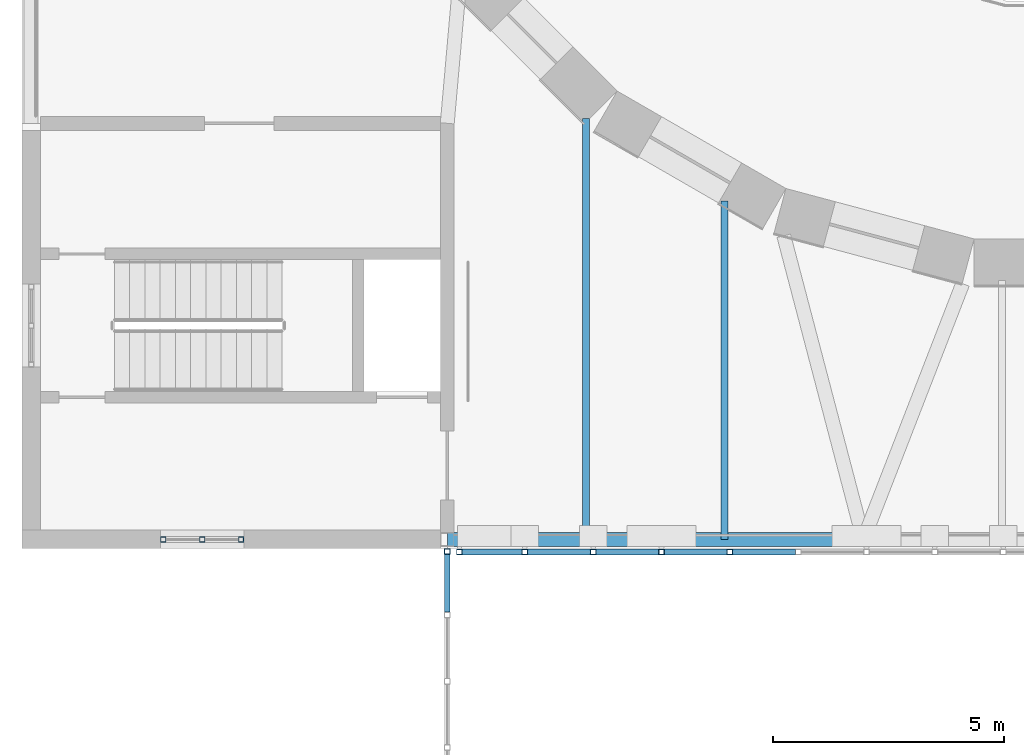
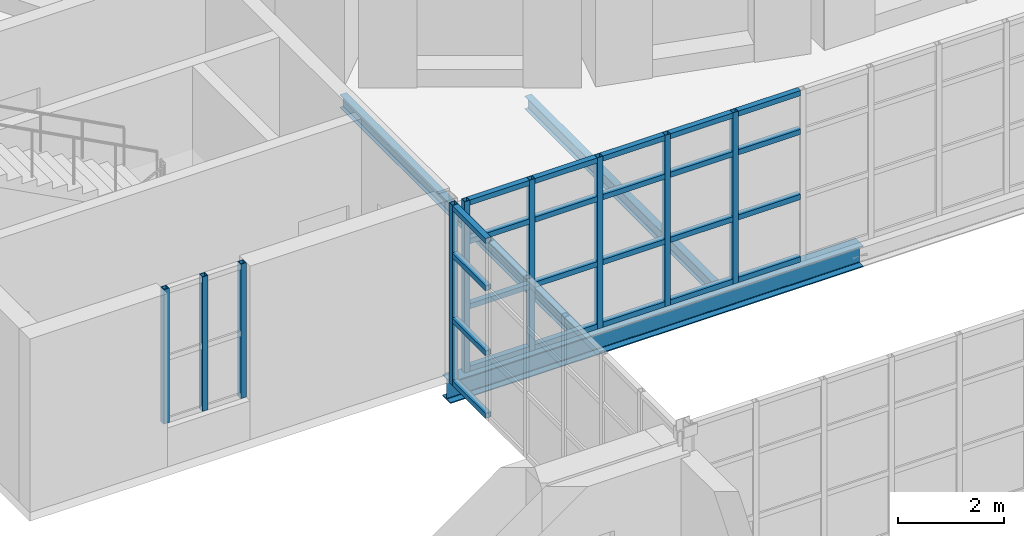
# One storey, part 41 of 154: 33 members, 3 beams, 3 elements without a shape of their own.
"""IFC4 building model written with IfcOpenShell, lengths in metres."""

from ifc_helpers import new_model, si_unit, direction, frame, origin, origin_2d, place, context, subcontext, project, spatial, hollow_rectangle, i_section, extrude, material, material_profile, profile_set, type_object, element, aggregate, save


model = new_model("IFC4")

# Units and contexts
model_context = context("Model", 3, precision=1e-05, world=origin(), true_north=direction((0.0, 1.0)))
body_context = subcontext(model_context, "Body", "Model", "MODEL_VIEW")
ifc_project = project(units=[si_unit("LENGTHUNIT", "METRE"), si_unit("AREAUNIT", "SQUARE_METRE"), si_unit("VOLUMEUNIT", "CUBIC_METRE"), si_unit("PLANEANGLEUNIT", "RADIAN"), si_unit("MASSUNIT", "GRAM", prefix="KILO")], contexts=[model_context])

# Site, building, storey
site_placement = place(None, origin())
site = spatial("IfcSite", under=ifc_project, at=site_placement, CompositionType="ELEMENT")
building_placement = place(site_placement, origin())
building = spatial("IfcBuilding", under=site, at=building_placement, Name="Golden Quay Civic Hall", CompositionType="ELEMENT")
storey_placement = place(building_placement, frame((0.0, 0.0, 14.39990234375)))
storey = spatial("IfcBuildingStorey", under=building, at=storey_placement, Name="L03", CompositionType="ELEMENT", Elevation=14.39990234375)

# Curtain wall, members
ifc_material_1 = material(Name="Fire-resisting glass and steel", Category="steel")
curtain_wall_type_1 = type_object("IfcCurtainWallType", Name="Fire-resisting glazed stair curtain wall EI 120", PredefinedType="NOTDEFINED", material=ifc_material_1)
curtain_wall_1_placement = place(storey_placement, origin())
curtain_wall_1 = element("IfcCurtainWall", 1, at=curtain_wall_1_placement, inside=storey, type_object=curtain_wall_type_1, Name="CW4 stair curtain wall", PredefinedType="NOTDEFINED")
ifc_material_2 = material(Name="Steel S355", Category="steel")
ifc_material_profile_1 = material_profile(ifc_material_2, hollow_rectangle(XDim=0.1201171875, YDim=0.1201171875, WallThickness=0.012451171875, at=origin_2d()), Name="SHS 120x120x12.5")
ifc_profile_set_1 = profile_set([ifc_material_profile_1], Name="Steel S355")
member_type_1 = type_object("IfcMemberType", Name="Fire-resisting steel stair mullion 120 x 120", PredefinedType="MULLION", material=ifc_profile_set_1)
member_1_placement = place(storey_placement, frame((65.860107421875, 63.0, 0.900146484375), z_axis=(0.0, 0.0, 1.0), x_axis=(0.0, 1.0, 0.0)))
member_1 = element("IfcMember", 2, at=member_1_placement, type_object=member_type_1, Name="CW4 mullion 1", PredefinedType="MULLION", context=body_context, shape_type="SweptSolid", body=[
    extrude(hollow_rectangle(XDim=0.1201171875, YDim=0.1201171875, WallThickness=0.012451171875, at=origin_2d()), origin(), (0.0, 0.0, 1.0), 3.099853515625),
])
member_2_placement = place(storey_placement, frame((66.699951171875, 63.0, 0.900146484375), z_axis=(0.0, 0.0, 1.0), x_axis=(0.0, 1.0, 0.0)))
member_2 = element("IfcMember", 3, at=member_2_placement, type_object=member_type_1, Name="CW4 mullion 2", PredefinedType="MULLION", context=body_context, shape_type="SweptSolid", body=[
    extrude(hollow_rectangle(XDim=0.1201171875, YDim=0.1201171875, WallThickness=0.012451171875, at=origin_2d()), origin(), (0.0, 0.0, 1.0), 3.099853515625),
])
member_3_placement = place(storey_placement, frame((67.5400390625, 63.0, 0.900146484375), z_axis=(0.0, 0.0, 1.0), x_axis=(0.0, 1.0, 0.0)))
member_3 = element("IfcMember", 4, at=member_3_placement, type_object=member_type_1, Name="CW4 mullion 3", PredefinedType="MULLION", context=body_context, shape_type="SweptSolid", body=[
    extrude(hollow_rectangle(XDim=0.1201171875, YDim=0.1201171875, WallThickness=0.012451171875, at=origin_2d()), origin(), (0.0, 0.0, 1.0), 3.099853515625),
])
aggregate(curtain_wall_1, [member_1, member_2, member_3])

# Beams
ifc_material_3 = material(Name="Steel S355", Category="steel")
ifc_material_profile_2 = material_profile(ifc_material_3, i_section(OverallWidth=0.300048828125, OverallDepth=0.489990234375, WebThickness=0.011962890625, FlangeThickness=0.02294921875, FilletRadius=0.027099609375, at=origin_2d()), Name="HEA 500")
ifc_profile_set_2 = profile_set([ifc_material_profile_2], Name="Steel S355")
beam_type_1 = type_object("IfcBeamType", Name="Steel girder HEA 500", PredefinedType="BEAM", material=ifc_profile_set_2)
beam_1_placement = place(storey_placement, frame((72.0, 63.0, -0.494873046875), z_axis=(1.0, 0.0, 0.0), x_axis=(0.0, 1.0, 0.0)))
element("IfcBeam", 5, at=beam_1_placement, inside=storey, type_object=beam_type_1, Name="Perimeter girder 1", PredefinedType="BEAM", context=body_context, shape_type="SweptSolid", body=[
    extrude(i_section(OverallWidth=0.300048828125, OverallDepth=0.489990234375, WebThickness=0.011962890625, FlangeThickness=0.02294921875, FilletRadius=0.027099609375, at=origin_2d()), origin(), (0.0, 0.0, 1.0), 9.0),
])
ifc_material_4 = material(Name="Steel S355", Category="steel")
ifc_material_profile_3 = material_profile(ifc_material_4, i_section(OverallWidth=0.14990234375, OverallDepth=0.300048828125, WebThickness=0.007080078125, FlangeThickness=0.0107421875, FilletRadius=0.014892578125, at=origin_2d()), Name="IPE 300")
ifc_profile_set_3 = profile_set([ifc_material_profile_3], Name="Steel S355")
beam_type_2 = type_object("IfcBeamType", Name="Steel joist IPE 300", PredefinedType="JOIST", material=ifc_profile_set_3)
beam_2_placement = place(storey_placement, frame((75.0, 63.0, -0.39990234375), z_axis=(0.0, 1.0, 0.0), x_axis=(-1.0, 0.0, 0.0)))
element("IfcBeam", 6, at=beam_2_placement, inside=storey, type_object=beam_type_2, Name="Floor joist 1", PredefinedType="JOIST", context=body_context, shape_type="SweptSolid", body=[
    extrude(i_section(OverallWidth=0.14990234375, OverallDepth=0.300048828125, WebThickness=0.007080078125, FlangeThickness=0.0107421875, FilletRadius=0.014892578125, at=origin_2d()), origin(), (0.0, 0.0, 1.0), 9.099853515625),
])
beam_3_placement = place(storey_placement, frame((78.0, 63.0, -0.39990234375), z_axis=(0.0, 1.0, 0.0), x_axis=(-1.0, 0.0, 0.0)))
element("IfcBeam", 7, at=beam_3_placement, inside=storey, type_object=beam_type_2, Name="Floor joist 2", PredefinedType="JOIST", context=body_context, shape_type="SweptSolid", body=[
    extrude(i_section(OverallWidth=0.14990234375, OverallDepth=0.300048828125, WebThickness=0.007080078125, FlangeThickness=0.0107421875, FilletRadius=0.014892578125, at=origin_2d()), origin(), (0.0, 0.0, 1.0), 7.315673828125),
])

# Curtain wall, members
ifc_material_5 = material(Name="Glass and aluminium", Category="aluminium")
curtain_wall_type_2 = type_object("IfcCurtainWallType", Name="Glazed curtain wall 1500 module", PredefinedType="NOTDEFINED", material=ifc_material_5)
curtain_wall_2_placement = place(storey_placement, origin())
curtain_wall_2 = element("IfcCurtainWall", 8, at=curtain_wall_2_placement, inside=storey, type_object=curtain_wall_type_2, Name="CW1 curtain wall", PredefinedType="NOTDEFINED")
ifc_material_6 = material(Name="Steel S355", Category="steel")
ifc_material_profile_4 = material_profile(ifc_material_6, hollow_rectangle(XDim=0.1201171875, YDim=0.1201171875, WallThickness=0.008056640625, at=origin_2d()), Name="SHS 120x120x8")
ifc_profile_set_4 = profile_set([ifc_material_profile_4], Name="Steel S355")
member_type_2 = type_object("IfcMemberType", Name="Steel mullion SHS 120x120x8", PredefinedType="MULLION", material=ifc_profile_set_4)
member_4_placement = place(storey_placement, frame((72.260009765625, 62.72998046875, 0.0), z_axis=(0.0, 0.0, 1.0), x_axis=(0.0, 1.0, 0.0)))
member_4 = element("IfcMember", 9, at=member_4_placement, type_object=member_type_2, Name="CW1 mullion 1", PredefinedType="MULLION", context=body_context, shape_type="SweptSolid", body=[
    extrude(hollow_rectangle(XDim=0.1201171875, YDim=0.1201171875, WallThickness=0.008056640625, at=origin_2d()), origin(), (0.0, 0.0, 1.0), 3.9501953125),
])
member_5_placement = place(storey_placement, frame((73.677734375, 62.72998046875, 0.0), z_axis=(0.0, 0.0, 1.0), x_axis=(0.0, 1.0, 0.0)))
member_5 = element("IfcMember", 10, at=member_5_placement, type_object=member_type_2, Name="CW1 mullion 2", PredefinedType="MULLION", context=body_context, shape_type="SweptSolid", body=[
    extrude(hollow_rectangle(XDim=0.1201171875, YDim=0.1201171875, WallThickness=0.008056640625, at=origin_2d()), origin(), (0.0, 0.0, 1.0), 3.9501953125),
])
member_6_placement = place(storey_placement, frame((75.155517578125, 62.72998046875, 0.0), z_axis=(0.0, 0.0, 1.0), x_axis=(0.0, 1.0, 0.0)))
member_6 = element("IfcMember", 11, at=member_6_placement, type_object=member_type_2, Name="CW1 mullion 3", PredefinedType="MULLION", context=body_context, shape_type="SweptSolid", body=[
    extrude(hollow_rectangle(XDim=0.1201171875, YDim=0.1201171875, WallThickness=0.008056640625, at=origin_2d()), origin(), (0.0, 0.0, 1.0), 3.9501953125),
])
member_7_placement = place(storey_placement, frame((76.63330078125, 62.72998046875, 0.0), z_axis=(0.0, 0.0, 1.0), x_axis=(0.0, 1.0, 0.0)))
member_7 = element("IfcMember", 12, at=member_7_placement, type_object=member_type_2, Name="CW1 mullion 4", PredefinedType="MULLION", context=body_context, shape_type="SweptSolid", body=[
    extrude(hollow_rectangle(XDim=0.1201171875, YDim=0.1201171875, WallThickness=0.008056640625, at=origin_2d()), origin(), (0.0, 0.0, 1.0), 3.9501953125),
])
member_8_placement = place(storey_placement, frame((78.111083984375, 62.72998046875, 0.0), z_axis=(0.0, 0.0, 1.0), x_axis=(0.0, 1.0, 0.0)))
member_8 = element("IfcMember", 13, at=member_8_placement, type_object=member_type_2, Name="CW1 mullion 5", PredefinedType="MULLION", context=body_context, shape_type="SweptSolid", body=[
    extrude(hollow_rectangle(XDim=0.1201171875, YDim=0.1201171875, WallThickness=0.008056640625, at=origin_2d()), origin(), (0.0, 0.0, 1.0), 3.9501953125),
])

# Curtain wall, member
curtain_wall_3_placement = place(storey_placement, origin())
curtain_wall_3 = element("IfcCurtainWall", 14, at=curtain_wall_3_placement, inside=storey, type_object=curtain_wall_type_2, Name="CW1 curtain wall", PredefinedType="NOTDEFINED")
member_9_placement = place(storey_placement, frame((72.0, 62.739990234375, -0.199951171875), z_axis=(0.0, 0.0, 1.0), x_axis=(-1.0, 0.0, 0.0)))
member_9 = element("IfcMember", 15, at=member_9_placement, type_object=member_type_2, Name="CW1 mullion 7", PredefinedType="MULLION", context=body_context, shape_type="SweptSolid", body=[
    extrude(hollow_rectangle(XDim=0.1201171875, YDim=0.1201171875, WallThickness=0.008056640625, at=origin_2d()), origin(), (0.0, 0.0, 1.0), 4.150146484375),
])

# Member
ifc_material_7 = material(Name="Steel S355", Category="steel")
ifc_material_profile_5 = material_profile(ifc_material_7, hollow_rectangle(XDim=0.1201171875, YDim=0.1201171875, WallThickness=0.008056640625, at=origin_2d()), Name="SHS 120x120x8")
ifc_profile_set_5 = profile_set([ifc_material_profile_5], Name="Steel S355")
member_type_3 = type_object("IfcMemberType", Name="Steel transom SHS 120x120x8", PredefinedType="USERDEFINED", material=ifc_profile_set_5)
member_10_placement = place(storey_placement, frame((72.320068359375, 62.72998046875, 0.06005859375), z_axis=(1.0, 0.0, 0.0), x_axis=(0.0, 1.0, 0.0)))
member_10 = element("IfcMember", 16, at=member_10_placement, type_object=member_type_3, Name="CW1 transom 1.1", ObjectType="TRANSOM", PredefinedType="USERDEFINED", context=body_context, shape_type="SweptSolid", body=[
    extrude(hollow_rectangle(XDim=0.1201171875, YDim=0.1201171875, WallThickness=0.008056640625, at=origin_2d()), origin(), (0.0, 0.0, 1.0), 1.297607421875),
])

member_11_placement = place(storey_placement, frame((72.320068359375, 62.72998046875, 1.5), z_axis=(1.0, 0.0, 0.0), x_axis=(0.0, 1.0, 0.0)))
member_11 = element("IfcMember", 17, at=member_11_placement, type_object=member_type_3, Name="CW1 transom 1.2", ObjectType="TRANSOM", PredefinedType="USERDEFINED", context=body_context, shape_type="SweptSolid", body=[
    extrude(hollow_rectangle(XDim=0.1201171875, YDim=0.1201171875, WallThickness=0.008056640625, at=origin_2d()), origin(), (0.0, 0.0, 1.0), 1.297607421875),
])

member_12_placement = place(storey_placement, frame((72.320068359375, 62.72998046875, 3.0), z_axis=(1.0, 0.0, 0.0), x_axis=(0.0, 1.0, 0.0)))
member_12 = element("IfcMember", 18, at=member_12_placement, type_object=member_type_3, Name="CW1 transom 1.3", ObjectType="TRANSOM", PredefinedType="USERDEFINED", context=body_context, shape_type="SweptSolid", body=[
    extrude(hollow_rectangle(XDim=0.1201171875, YDim=0.1201171875, WallThickness=0.008056640625, at=origin_2d()), origin(), (0.0, 0.0, 1.0), 1.297607421875),
])

member_13_placement = place(storey_placement, frame((72.320068359375, 62.72998046875, 3.89013671875), z_axis=(1.0, 0.0, 0.0), x_axis=(0.0, 1.0, 0.0)))
member_13 = element("IfcMember", 19, at=member_13_placement, type_object=member_type_3, Name="CW1 transom 1.4", ObjectType="TRANSOM", PredefinedType="USERDEFINED", context=body_context, shape_type="SweptSolid", body=[
    extrude(hollow_rectangle(XDim=0.1201171875, YDim=0.1201171875, WallThickness=0.008056640625, at=origin_2d()), origin(), (0.0, 0.0, 1.0), 1.297607421875),
])

member_14_placement = place(storey_placement, frame((73.73779296875, 62.72998046875, 0.06005859375), z_axis=(1.0, 0.0, 0.0), x_axis=(0.0, 1.0, 0.0)))
member_14 = element("IfcMember", 20, at=member_14_placement, type_object=member_type_3, Name="CW1 transom 2.1", ObjectType="TRANSOM", PredefinedType="USERDEFINED", context=body_context, shape_type="SweptSolid", body=[
    extrude(hollow_rectangle(XDim=0.1201171875, YDim=0.1201171875, WallThickness=0.008056640625, at=origin_2d()), origin(), (0.0, 0.0, 1.0), 1.357666015625),
])

member_15_placement = place(storey_placement, frame((73.73779296875, 62.72998046875, 1.5), z_axis=(1.0, 0.0, 0.0), x_axis=(0.0, 1.0, 0.0)))
member_15 = element("IfcMember", 21, at=member_15_placement, type_object=member_type_3, Name="CW1 transom 2.2", ObjectType="TRANSOM", PredefinedType="USERDEFINED", context=body_context, shape_type="SweptSolid", body=[
    extrude(hollow_rectangle(XDim=0.1201171875, YDim=0.1201171875, WallThickness=0.008056640625, at=origin_2d()), origin(), (0.0, 0.0, 1.0), 1.357666015625),
])

member_16_placement = place(storey_placement, frame((73.73779296875, 62.72998046875, 3.0), z_axis=(1.0, 0.0, 0.0), x_axis=(0.0, 1.0, 0.0)))
member_16 = element("IfcMember", 22, at=member_16_placement, type_object=member_type_3, Name="CW1 transom 2.3", ObjectType="TRANSOM", PredefinedType="USERDEFINED", context=body_context, shape_type="SweptSolid", body=[
    extrude(hollow_rectangle(XDim=0.1201171875, YDim=0.1201171875, WallThickness=0.008056640625, at=origin_2d()), origin(), (0.0, 0.0, 1.0), 1.357666015625),
])

member_17_placement = place(storey_placement, frame((73.73779296875, 62.72998046875, 3.89013671875), z_axis=(1.0, 0.0, 0.0), x_axis=(0.0, 1.0, 0.0)))
member_17 = element("IfcMember", 23, at=member_17_placement, type_object=member_type_3, Name="CW1 transom 2.4", ObjectType="TRANSOM", PredefinedType="USERDEFINED", context=body_context, shape_type="SweptSolid", body=[
    extrude(hollow_rectangle(XDim=0.1201171875, YDim=0.1201171875, WallThickness=0.008056640625, at=origin_2d()), origin(), (0.0, 0.0, 1.0), 1.357666015625),
])

member_18_placement = place(storey_placement, frame((75.215576171875, 62.72998046875, 0.06005859375), z_axis=(1.0, 0.0, 0.0), x_axis=(0.0, 1.0, 0.0)))
member_18 = element("IfcMember", 24, at=member_18_placement, type_object=member_type_3, Name="CW1 transom 3.1", ObjectType="TRANSOM", PredefinedType="USERDEFINED", context=body_context, shape_type="SweptSolid", body=[
    extrude(hollow_rectangle(XDim=0.1201171875, YDim=0.1201171875, WallThickness=0.008056640625, at=origin_2d()), origin(), (0.0, 0.0, 1.0), 1.357666015625),
])

member_19_placement = place(storey_placement, frame((75.215576171875, 62.72998046875, 1.5), z_axis=(1.0, 0.0, 0.0), x_axis=(0.0, 1.0, 0.0)))
member_19 = element("IfcMember", 25, at=member_19_placement, type_object=member_type_3, Name="CW1 transom 3.2", ObjectType="TRANSOM", PredefinedType="USERDEFINED", context=body_context, shape_type="SweptSolid", body=[
    extrude(hollow_rectangle(XDim=0.1201171875, YDim=0.1201171875, WallThickness=0.008056640625, at=origin_2d()), origin(), (0.0, 0.0, 1.0), 1.357666015625),
])

member_20_placement = place(storey_placement, frame((75.215576171875, 62.72998046875, 3.0), z_axis=(1.0, 0.0, 0.0), x_axis=(0.0, 1.0, 0.0)))
member_20 = element("IfcMember", 26, at=member_20_placement, type_object=member_type_3, Name="CW1 transom 3.3", ObjectType="TRANSOM", PredefinedType="USERDEFINED", context=body_context, shape_type="SweptSolid", body=[
    extrude(hollow_rectangle(XDim=0.1201171875, YDim=0.1201171875, WallThickness=0.008056640625, at=origin_2d()), origin(), (0.0, 0.0, 1.0), 1.357666015625),
])

member_21_placement = place(storey_placement, frame((75.215576171875, 62.72998046875, 3.89013671875), z_axis=(1.0, 0.0, 0.0), x_axis=(0.0, 1.0, 0.0)))
member_21 = element("IfcMember", 27, at=member_21_placement, type_object=member_type_3, Name="CW1 transom 3.4", ObjectType="TRANSOM", PredefinedType="USERDEFINED", context=body_context, shape_type="SweptSolid", body=[
    extrude(hollow_rectangle(XDim=0.1201171875, YDim=0.1201171875, WallThickness=0.008056640625, at=origin_2d()), origin(), (0.0, 0.0, 1.0), 1.357666015625),
])

member_22_placement = place(storey_placement, frame((76.693359375, 62.72998046875, 0.06005859375), z_axis=(1.0, 0.0, 0.0), x_axis=(0.0, 1.0, 0.0)))
member_22 = element("IfcMember", 28, at=member_22_placement, type_object=member_type_3, Name="CW1 transom 4.1", ObjectType="TRANSOM", PredefinedType="USERDEFINED", context=body_context, shape_type="SweptSolid", body=[
    extrude(hollow_rectangle(XDim=0.1201171875, YDim=0.1201171875, WallThickness=0.008056640625, at=origin_2d()), origin(), (0.0, 0.0, 1.0), 1.357666015625),
])

member_23_placement = place(storey_placement, frame((76.693359375, 62.72998046875, 1.5), z_axis=(1.0, 0.0, 0.0), x_axis=(0.0, 1.0, 0.0)))
member_23 = element("IfcMember", 29, at=member_23_placement, type_object=member_type_3, Name="CW1 transom 4.2", ObjectType="TRANSOM", PredefinedType="USERDEFINED", context=body_context, shape_type="SweptSolid", body=[
    extrude(hollow_rectangle(XDim=0.1201171875, YDim=0.1201171875, WallThickness=0.008056640625, at=origin_2d()), origin(), (0.0, 0.0, 1.0), 1.357666015625),
])

member_24_placement = place(storey_placement, frame((76.693359375, 62.72998046875, 3.0), z_axis=(1.0, 0.0, 0.0), x_axis=(0.0, 1.0, 0.0)))
member_24 = element("IfcMember", 30, at=member_24_placement, type_object=member_type_3, Name="CW1 transom 4.3", ObjectType="TRANSOM", PredefinedType="USERDEFINED", context=body_context, shape_type="SweptSolid", body=[
    extrude(hollow_rectangle(XDim=0.1201171875, YDim=0.1201171875, WallThickness=0.008056640625, at=origin_2d()), origin(), (0.0, 0.0, 1.0), 1.357666015625),
])

member_25_placement = place(storey_placement, frame((76.693359375, 62.72998046875, 3.89013671875), z_axis=(1.0, 0.0, 0.0), x_axis=(0.0, 1.0, 0.0)))
member_25 = element("IfcMember", 31, at=member_25_placement, type_object=member_type_3, Name="CW1 transom 4.4", ObjectType="TRANSOM", PredefinedType="USERDEFINED", context=body_context, shape_type="SweptSolid", body=[
    extrude(hollow_rectangle(XDim=0.1201171875, YDim=0.1201171875, WallThickness=0.008056640625, at=origin_2d()), origin(), (0.0, 0.0, 1.0), 1.357666015625),
])

member_26_placement = place(storey_placement, frame((78.171142578125, 62.72998046875, 0.06005859375), z_axis=(1.0, 0.0, 0.0), x_axis=(0.0, 1.0, 0.0)))
member_26 = element("IfcMember", 32, at=member_26_placement, type_object=member_type_3, Name="CW1 transom 5.1", ObjectType="TRANSOM", PredefinedType="USERDEFINED", context=body_context, shape_type="SweptSolid", body=[
    extrude(hollow_rectangle(XDim=0.1201171875, YDim=0.1201171875, WallThickness=0.008056640625, at=origin_2d()), origin(), (0.0, 0.0, 1.0), 1.357666015625),
])

member_27_placement = place(storey_placement, frame((78.171142578125, 62.72998046875, 1.5), z_axis=(1.0, 0.0, 0.0), x_axis=(0.0, 1.0, 0.0)))
member_27 = element("IfcMember", 33, at=member_27_placement, type_object=member_type_3, Name="CW1 transom 5.2", ObjectType="TRANSOM", PredefinedType="USERDEFINED", context=body_context, shape_type="SweptSolid", body=[
    extrude(hollow_rectangle(XDim=0.1201171875, YDim=0.1201171875, WallThickness=0.008056640625, at=origin_2d()), origin(), (0.0, 0.0, 1.0), 1.357666015625),
])

member_28_placement = place(storey_placement, frame((78.171142578125, 62.72998046875, 3.0), z_axis=(1.0, 0.0, 0.0), x_axis=(0.0, 1.0, 0.0)))
member_28 = element("IfcMember", 34, at=member_28_placement, type_object=member_type_3, Name="CW1 transom 5.3", ObjectType="TRANSOM", PredefinedType="USERDEFINED", context=body_context, shape_type="SweptSolid", body=[
    extrude(hollow_rectangle(XDim=0.1201171875, YDim=0.1201171875, WallThickness=0.008056640625, at=origin_2d()), origin(), (0.0, 0.0, 1.0), 1.357666015625),
])

member_29_placement = place(storey_placement, frame((78.171142578125, 62.72998046875, 3.89013671875), z_axis=(1.0, 0.0, 0.0), x_axis=(0.0, 1.0, 0.0)))
member_29 = element("IfcMember", 35, at=member_29_placement, type_object=member_type_3, Name="CW1 transom 5.4", ObjectType="TRANSOM", PredefinedType="USERDEFINED", context=body_context, shape_type="SweptSolid", body=[
    extrude(hollow_rectangle(XDim=0.1201171875, YDim=0.1201171875, WallThickness=0.008056640625, at=origin_2d()), origin(), (0.0, 0.0, 1.0), 1.357666015625),
])

aggregate(curtain_wall_2, [member_4, member_5, member_6, member_7, member_8, member_10, member_11, member_12, member_13, member_14, member_15, member_16, member_17, member_18, member_19, member_20, member_21, member_22, member_23, member_24, member_25, member_26, member_27, member_28, member_29])

member_30_placement = place(storey_placement, frame((72.0, 61.4267578125, -0.139892578125), z_axis=(0.0, 1.0, 0.0), x_axis=(-1.0, 0.0, 0.0)))
member_30 = element("IfcMember", 36, at=member_30_placement, type_object=member_type_3, Name="CW1 transom 6.1", ObjectType="TRANSOM", PredefinedType="USERDEFINED", context=body_context, shape_type="SweptSolid", body=[
    extrude(hollow_rectangle(XDim=0.1201171875, YDim=0.1201171875, WallThickness=0.008056640625, at=origin_2d()), origin(), (0.0, 0.0, 1.0), 1.253173828125),
])

member_31_placement = place(storey_placement, frame((72.0, 61.4267578125, 1.300048828125), z_axis=(0.0, 1.0, 0.0), x_axis=(-1.0, 0.0, 0.0)))
member_31 = element("IfcMember", 37, at=member_31_placement, type_object=member_type_3, Name="CW1 transom 6.2", ObjectType="TRANSOM", PredefinedType="USERDEFINED", context=body_context, shape_type="SweptSolid", body=[
    extrude(hollow_rectangle(XDim=0.1201171875, YDim=0.1201171875, WallThickness=0.008056640625, at=origin_2d()), origin(), (0.0, 0.0, 1.0), 1.253173828125),
])

member_32_placement = place(storey_placement, frame((72.0, 61.4267578125, 2.800048828125), z_axis=(0.0, 1.0, 0.0), x_axis=(-1.0, 0.0, 0.0)))
member_32 = element("IfcMember", 38, at=member_32_placement, type_object=member_type_3, Name="CW1 transom 6.3", ObjectType="TRANSOM", PredefinedType="USERDEFINED", context=body_context, shape_type="SweptSolid", body=[
    extrude(hollow_rectangle(XDim=0.1201171875, YDim=0.1201171875, WallThickness=0.008056640625, at=origin_2d()), origin(), (0.0, 0.0, 1.0), 1.253173828125),
])

member_33_placement = place(storey_placement, frame((72.0, 61.4267578125, 3.89013671875), z_axis=(0.0, 1.0, 0.0), x_axis=(-1.0, 0.0, 0.0)))
member_33 = element("IfcMember", 39, at=member_33_placement, type_object=member_type_3, Name="CW1 transom 6.4", ObjectType="TRANSOM", PredefinedType="USERDEFINED", context=body_context, shape_type="SweptSolid", body=[
    extrude(hollow_rectangle(XDim=0.1201171875, YDim=0.1201171875, WallThickness=0.008056640625, at=origin_2d()), origin(), (0.0, 0.0, 1.0), 1.253173828125),
])

aggregate(curtain_wall_3, [member_9, member_30, member_31, member_32, member_33])

save(model, "model.ifc")
